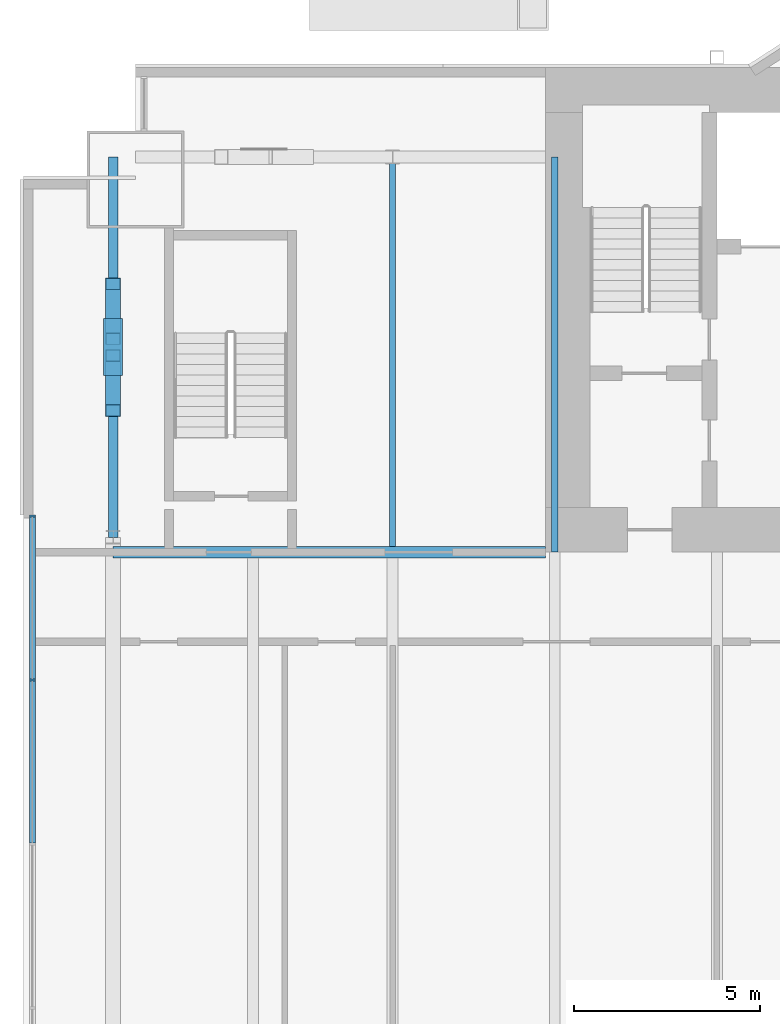
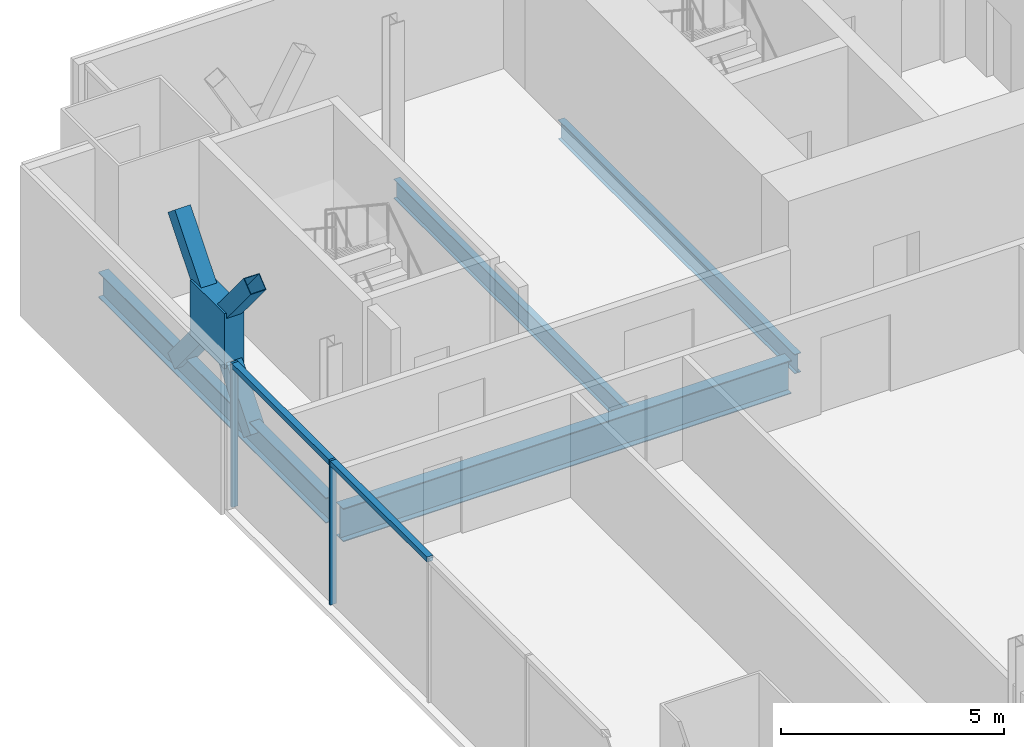
# One storey, part 7 of 21: 9 members, 4 beams, 1 element without a shape of its own.
"""IFC4 building model written with IfcOpenShell, lengths in metres."""

from ifc_helpers import new_model, si_unit, direction, frame, origin, origin_2d, place, context, subcontext, project, spatial, rectangle, hollow_rectangle, i_section, extrude, material, material_profile, profile_set, type_object, element, aggregate, save


model = new_model("IFC4")

# Units and contexts
model_context = context("Model", 3, precision=1e-05, world=origin(), true_north=direction((0.0, 1.0)))
body_context = subcontext(model_context, "Body", "Model", "MODEL_VIEW")
ifc_project = project(units=[si_unit("LENGTHUNIT", "METRE"), si_unit("AREAUNIT", "SQUARE_METRE"), si_unit("VOLUMEUNIT", "CUBIC_METRE"), si_unit("PLANEANGLEUNIT", "RADIAN"), si_unit("MASSUNIT", "GRAM", prefix="KILO")], contexts=[model_context])

# Site, building, storey
site_placement = place(None, origin())
site = spatial("IfcSite", under=ifc_project, at=site_placement, CompositionType="ELEMENT")
building_placement = place(site_placement, origin())
building = spatial("IfcBuilding", under=site, at=building_placement, Name="Bicima Exchange Tower", CompositionType="ELEMENT")
storey_placement = place(building_placement, frame((0.0, 0.0, 195.0)))
storey = spatial("IfcBuildingStorey", under=building, at=storey_placement, Name="L43", CompositionType="ELEMENT", Elevation=195.0)

# Member
ifc_material_1 = material(Name="Steel ASTM A572 Gr 50", Category="steel")
ifc_material_profile_1 = material_profile(ifc_material_1, rectangle(XDim=0.50634765625, YDim=1.529541015625, at=origin_2d()))
ifc_profile_set_1 = profile_set([ifc_material_profile_1], Name="Steel ASTM A572 Gr 50")
member_type_1 = type_object("IfcMemberType", Name="Brace crossing node 506 x 1530", PredefinedType="POST", material=ifc_profile_set_1)
member_1_placement = place(storey_placement, frame((-33.60009765625, -7.5, 0.798583984375), z_axis=(0.0, 0.0, 1.0), x_axis=(1.0, 0.0, 0.0)))
element("IfcMember", 1, at=member_1_placement, inside=storey, type_object=member_type_1, Name="Brace crossing node block", PredefinedType="POST", context=body_context, shape_type="SweptSolid", body=[
    extrude(rectangle(XDim=0.50634765625, YDim=1.529541015625, at=origin_2d()), origin(), (0.0, 0.0, 1.0), 1.509521484375),
])

# Beam
ifc_material_2 = material(Name="Steel ASTM A992 Gr 50", Category="steel")
ifc_material_profile_2 = material_profile(ifc_material_2, i_section(OverallWidth=0.3046875, OverallDepth=0.911865234375, WebThickness=0.015869140625, FlangeThickness=0.02392578125, at=origin_2d()))
ifc_profile_set_2 = profile_set([ifc_material_profile_2], Name="Steel ASTM A992 Gr 50")
beam_type_1 = type_object("IfcBeamType", Name="Core-line girder W36x150", PredefinedType="BEAM", material=ifc_profile_set_2)
beam_1_placement = place(storey_placement, frame((-22.0, -13.0, -0.60595703125), z_axis=(-1.0, 0.0, 0.0), x_axis=(0.0, -1.0, 0.0)))
element("IfcBeam", 2, at=beam_1_placement, inside=storey, type_object=beam_type_1, Name="Core-line girder", PredefinedType="BEAM", context=body_context, shape_type="SweptSolid", body=[
    extrude(i_section(OverallWidth=0.3046875, OverallDepth=0.911865234375, WebThickness=0.015869140625, FlangeThickness=0.02392578125, at=origin_2d()), origin(), (0.0, 0.0, 1.0), 11.60009765625),
])

# Curtain wall, members
ifc_material_3 = material(Name="Anodised bronze aluminium", Category="aluminium")
curtain_wall_type = type_object("IfcCurtainWallType", Name="End face glass wall", PredefinedType="NOTDEFINED", material=ifc_material_3)
curtain_wall_placement = place(storey_placement, origin())
curtain_wall = element("IfcCurtainWall", 3, at=curtain_wall_placement, inside=storey, type_object=curtain_wall_type, Name="End face glass wall L43 run 2", PredefinedType="NOTDEFINED")
ifc_material_profile_3 = material_profile(ifc_material_3, rectangle(XDim=0.159912109375, YDim=0.06005859375, at=origin_2d()))
ifc_profile_set_3 = profile_set([ifc_material_profile_3], Name="Anodised bronze aluminium")
member_type_2 = type_object("IfcMemberType", Name="End face glass wall mullion 60 x 160", PredefinedType="MULLION", material=ifc_profile_set_3)
member_2_placement = place(storey_placement, frame((-35.77001953125, -12.030029296875, 0.0), z_axis=(0.0, 0.0, 1.0), x_axis=(1.0, 0.0, 0.0)))
member_2 = element("IfcMember", 4, at=member_2_placement, type_object=member_type_2, Name="End face glass wall mullion 1", PredefinedType="MULLION", context=body_context, shape_type="SweptSolid", body=[
    extrude(rectangle(XDim=0.159912109375, YDim=0.06005859375, at=origin_2d()), origin(), (0.0, 0.0, 1.0), 3.949951171875),
])
member_3_placement = place(storey_placement, frame((-35.77001953125, -16.430419921875, 0.0), z_axis=(0.0, 0.0, 1.0), x_axis=(1.0, 0.0, 0.0)))
member_3 = element("IfcMember", 5, at=member_3_placement, type_object=member_type_2, Name="End face glass wall mullion 2", PredefinedType="MULLION", context=body_context, shape_type="SweptSolid", body=[
    extrude(rectangle(XDim=0.159912109375, YDim=0.06005859375, at=origin_2d()), origin(), (0.0, 0.0, 1.0), 3.949951171875),
])
ifc_material_profile_4 = material_profile(ifc_material_3, rectangle(XDim=0.159912109375, YDim=0.139892578125, at=origin_2d()))
ifc_profile_set_4 = profile_set([ifc_material_profile_4], Name="Anodised bronze aluminium")
member_type_3 = type_object("IfcMemberType", Name="End face glass wall transom 140 x 160", PredefinedType="USERDEFINED", material=ifc_profile_set_4)
member_4_placement = place(storey_placement, frame((-35.77001953125, -12.06005859375, 3.8798828125), z_axis=(0.0, -1.0, 0.0), x_axis=(1.0, 0.0, 0.0)))
member_4 = element("IfcMember", 6, at=member_4_placement, type_object=member_type_3, Name="End face glass wall transom 1.1", ObjectType="TRANSOM", PredefinedType="USERDEFINED", context=body_context, shape_type="SweptSolid", body=[
    extrude(rectangle(XDim=0.159912109375, YDim=0.139892578125, at=origin_2d()), origin(), (0.0, 0.0, 1.0), 4.34033203125),
])
member_5_placement = place(storey_placement, frame((-35.77001953125, -16.46044921875, 3.8798828125), z_axis=(0.0, -1.0, 0.0), x_axis=(1.0, 0.0, 0.0)))
member_5 = element("IfcMember", 7, at=member_5_placement, type_object=member_type_3, Name="End face glass wall transom 2.1", ObjectType="TRANSOM", PredefinedType="USERDEFINED", context=body_context, shape_type="SweptSolid", body=[
    extrude(rectangle(XDim=0.159912109375, YDim=0.139892578125, at=origin_2d()), origin(), (0.0, 0.0, 1.0), 4.340576171875),
])
aggregate(curtain_wall, [member_2, member_3, member_4, member_5])

# Beams
ifc_material_profile_5 = material_profile(ifc_material_2, i_section(OverallWidth=0.256591796875, OverallDepth=0.693359375, WebThickness=0.014404296875, FlangeThickness=0.023681640625, at=origin_2d()))
ifc_profile_set_5 = profile_set([ifc_material_profile_5], Name="Steel ASTM A992 Gr 50")
beam_type_2 = type_object("IfcBeamType", Name="End girder W27x114", PredefinedType="BEAM", material=ifc_profile_set_5)
beam_2_placement = place(storey_placement, frame((-33.60009765625, -2.39990234375, -0.49658203125), z_axis=(0.0, -1.0, 0.0), x_axis=(1.0, 0.0, 0.0)))
element("IfcBeam", 8, at=beam_2_placement, inside=storey, type_object=beam_type_2, Name="End girder", PredefinedType="BEAM", context=body_context, shape_type="SweptSolid", body=[
    extrude(i_section(OverallWidth=0.256591796875, OverallDepth=0.693359375, WebThickness=0.014404296875, FlangeThickness=0.023681640625, at=origin_2d()), origin(), (0.0, 0.0, 1.0), 10.2001953125),
])
ifc_material_profile_6 = material_profile(ifc_material_2, i_section(OverallWidth=0.165771484375, OverallDepth=0.5283203125, WebThickness=0.009765625, FlangeThickness=0.013671875, at=origin_2d()))
ifc_profile_set_6 = profile_set([ifc_material_profile_6], Name="Steel ASTM A992 Gr 50")
beam_type_3 = type_object("IfcBeamType", Name="Floor beam W21x50", PredefinedType="JOIST", material=ifc_profile_set_6)
beam_3_placement = place(storey_placement, frame((-26.10009765625, -2.5625, -0.414306640625), z_axis=(0.0, -1.0, 0.0), x_axis=(1.0, 0.0, 0.0)))
element("IfcBeam", 9, at=beam_3_placement, inside=storey, type_object=beam_type_3, Name="Floor beam", PredefinedType="JOIST", context=body_context, shape_type="SweptSolid", body=[
    extrude(i_section(OverallWidth=0.165771484375, OverallDepth=0.5283203125, WebThickness=0.009765625, FlangeThickness=0.013671875, at=origin_2d()), origin(), (0.0, 0.0, 1.0), 10.28515625),
])
beam_4_placement = place(storey_placement, frame((-21.75, -2.39990234375, -0.414306640625), z_axis=(0.0, -1.0, 0.0), x_axis=(1.0, 0.0, 0.0)))
element("IfcBeam", 10, at=beam_4_placement, inside=storey, type_object=beam_type_3, Name="Floor beam", PredefinedType="JOIST", context=body_context, shape_type="SweptSolid", body=[
    extrude(i_section(OverallWidth=0.165771484375, OverallDepth=0.5283203125, WebThickness=0.009765625, FlangeThickness=0.013671875, at=origin_2d()), origin(), (0.0, 0.0, 1.0), 10.60009765625),
])

# Members
ifc_material_profile_7 = material_profile(ifc_material_1, hollow_rectangle(XDim=0.406494140625, YDim=0.406494140625, WallThickness=0.0146484375, at=origin_2d()))
ifc_profile_set_7 = profile_set([ifc_material_profile_7], Name="Steel ASTM A572 Gr 50")
member_type_4 = type_object("IfcMemberType", Name="Mega brace HSS16x16x5/8", PredefinedType="BRACE", material=ifc_profile_set_7)
member_6_placement = place(storey_placement, frame((-33.60009765625, -5.800048828125, -0.49658203125), z_axis=(0.0, -0.638335869595, 0.769757960393), x_axis=(1.0, 0.0, 0.0)))
element("IfcMember", 11, at=member_6_placement, inside=storey, type_object=member_type_4, Name="Mega brace west end", PredefinedType="BRACE", context=body_context, shape_type="SweptSolid", body=[
    extrude(hollow_rectangle(XDim=0.406494140625, YDim=0.406494140625, WallThickness=0.0146484375, at=origin_2d()), origin(), (0.0, 0.0, 1.0), 2.314697265625),
])
member_7_placement = place(storey_placement, frame((-33.60009765625, -7.722412109375, 1.8212890625), z_axis=(0.0, -0.63828404563, 0.76980093342), x_axis=(1.0, 0.0, 0.0)))
element("IfcMember", 12, at=member_7_placement, inside=storey, type_object=member_type_4, Name="Mega brace west end", PredefinedType="BRACE", context=body_context, shape_type="SweptSolid", body=[
    extrude(hollow_rectangle(XDim=0.406494140625, YDim=0.406494140625, WallThickness=0.0146484375, at=origin_2d()), origin(), (0.0, 0.0, 1.0), 2.31494140625),
])
member_8_placement = place(storey_placement, frame((-33.60009765625, -9.199951171875, -0.49658203125), z_axis=(0.0, 0.638335869595, 0.769757960393), x_axis=(-1.0, 0.0, 0.0)))
element("IfcMember", 13, at=member_8_placement, inside=storey, type_object=member_type_4, Name="Mega brace west end", PredefinedType="BRACE", context=body_context, shape_type="SweptSolid", body=[
    extrude(hollow_rectangle(XDim=0.406494140625, YDim=0.406494140625, WallThickness=0.0146484375, at=origin_2d()), origin(), (0.0, 0.0, 1.0), 2.314697265625),
])
member_9_placement = place(storey_placement, frame((-33.60009765625, -7.277587890625, 1.8212890625), z_axis=(0.0, 0.63828404563, 0.76980093342), x_axis=(-1.0, 0.0, 0.0)))
element("IfcMember", 14, at=member_9_placement, inside=storey, type_object=member_type_4, Name="Mega brace west end", PredefinedType="BRACE", context=body_context, shape_type="SweptSolid", body=[
    extrude(hollow_rectangle(XDim=0.406494140625, YDim=0.406494140625, WallThickness=0.0146484375, at=origin_2d()), origin(), (0.0, 0.0, 1.0), 2.31494140625),
])

save(model, "model.ifc")
